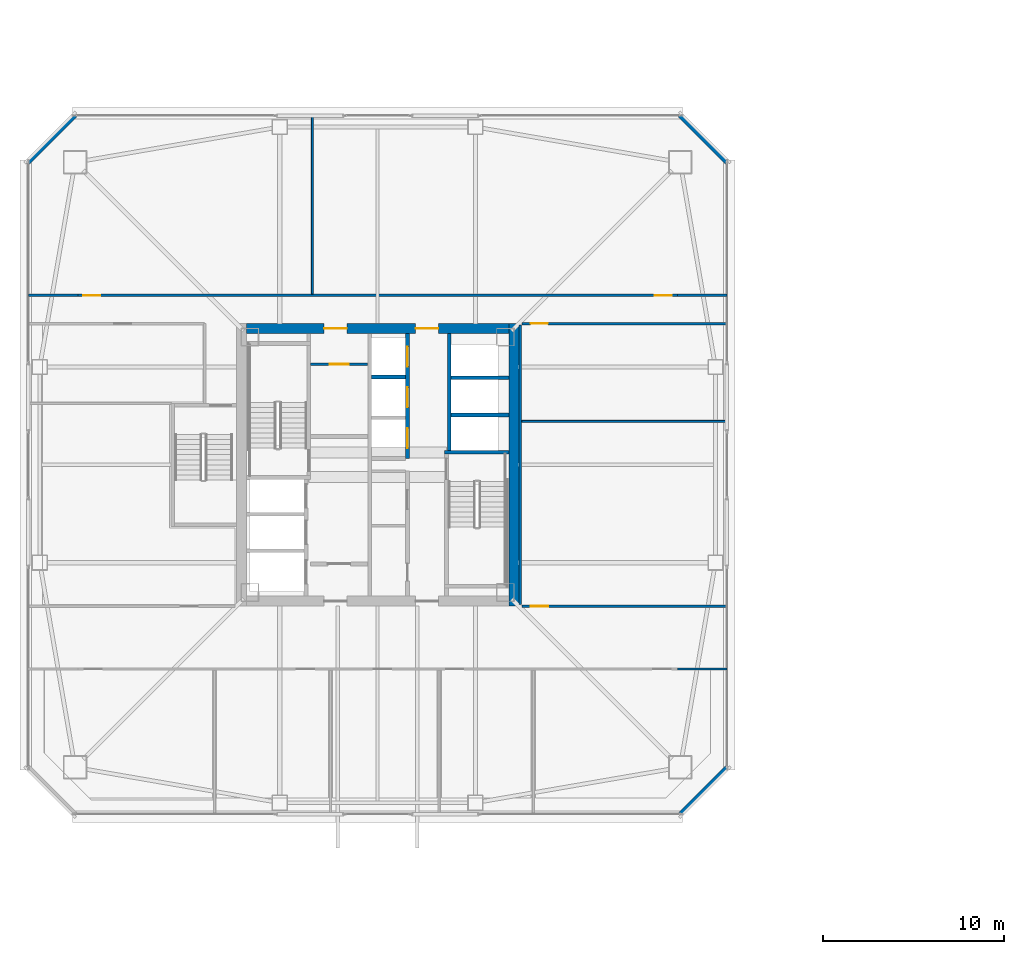
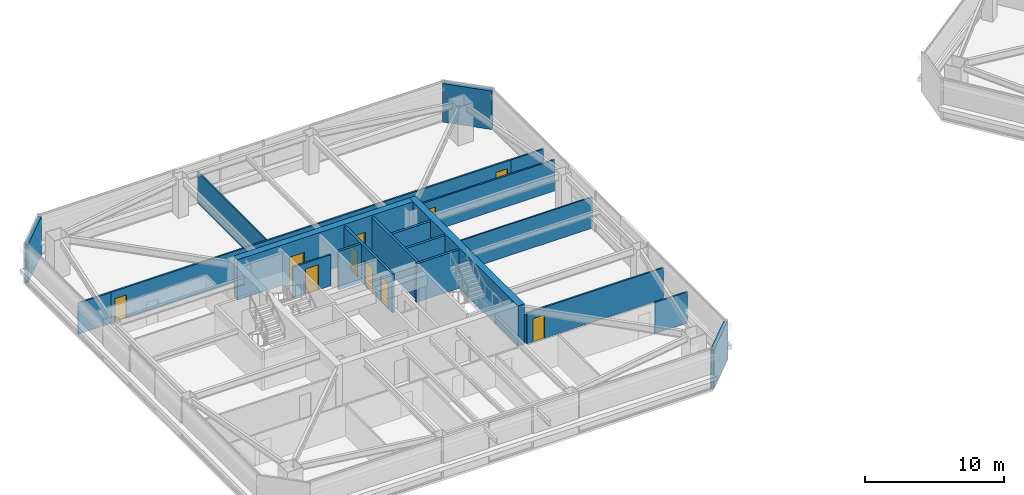
# One storey, part 33 of 42: 21 walls, 10 doors, 10 openings.
"""IFC4 building model written with IfcOpenShell, lengths in metres."""

from ifc_helpers import new_model, si_unit, direction, frame, frame_2d, origin, place, context, subcontext, project, spatial, rectangle, extrude, material, layer, layer_set, type_object, element, fill, save


model = new_model("IFC4")

# Units and contexts
model_context = context("Model", 3, precision=1e-05, world=origin(), true_north=direction((0.0, 1.0)))
body_context = subcontext(model_context, "Body", "Model", "MODEL_VIEW")
ifc_project = project(units=[si_unit("LENGTHUNIT", "METRE"), si_unit("AREAUNIT", "SQUARE_METRE"), si_unit("VOLUMEUNIT", "CUBIC_METRE"), si_unit("PLANEANGLEUNIT", "RADIAN"), si_unit("MASSUNIT", "GRAM", prefix="KILO")], contexts=[model_context])

# Site, building, storey
site_placement = place(None, origin())
site = spatial("IfcSite", under=ifc_project, at=site_placement, CompositionType="ELEMENT")
building_placement = place(site_placement, origin())
building = spatial("IfcBuilding", under=site, at=building_placement, Name="Tashvorn Skyway Center", CompositionType="ELEMENT")
storey_placement = place(building_placement, frame((0.0, 0.0, 121.5)))
storey = spatial("IfcBuildingStorey", under=building, at=storey_placement, Name="L32", CompositionType="ELEMENT", Elevation=121.5)

# Wall
ifc_material_1 = material(Name="Concrete C60/75", Category="concrete")
ifc_layer_1 = layer(ifc_material_1, 0.550048828125)
ifc_layer_set_1 = layer_set([ifc_layer_1], Name="Concrete C60/75")
wall_type_1 = type_object("IfcWallType", Name="WALL-CORE-550", PredefinedType="SHEAR", material=ifc_layer_set_1)
wall_1_placement = place(storey_placement, frame((49.52490234375, 39.800048828125, 0.0), z_axis=(0.0, 0.0, 1.0), x_axis=(0.0, -1.0, 0.0)))
element("IfcWall", 1, at=wall_1_placement, inside=storey, type_object=wall_type_1, Name="Tower 1 L32 East Core Shear Wall", PredefinedType="SHEAR", context=body_context, shape_type="SweptSolid", body=[
    extrude(rectangle(XDim=15.60009765625, YDim=0.550048828125, at=frame_2d((7.800048828125, 0.0))), origin(), (0.0, 0.0, 1.0), 3.550048828125),
])

# Wall, openings, doors
wall_2_placement = place(storey_placement, frame((34.75, 39.52490234375, 0.0), z_axis=(0.0, 0.0, 1.0), x_axis=(1.0, 0.0, 0.0)))
wall_2 = element("IfcWall", 2, at=wall_2_placement, inside=storey, type_object=wall_type_1, Name="Tower 1 L32 North Core Shear Wall", PredefinedType="SHEAR", context=body_context, shape_type="SweptSolid", body=[
    extrude(rectangle(XDim=14.5, YDim=0.550048828125, at=frame_2d((7.25, 0.0))), origin(), (0.0, 0.0, 1.0), 3.550048828125),
])
opening_1_placement = place(wall_2_placement, frame((4.300048828125, 0.0, 0.0)))
opening_1 = element("IfcOpeningElement", 3, at=opening_1_placement, cuts=wall_2, Name="Opening D-FFL-1250", PredefinedType="OPENING", context=body_context, shape_type="SweptSolid", body=[
    extrude(rectangle(XDim=1.25, YDim=2.25, at=frame_2d((0.625, 1.125))), frame((0.0, 0.284912109375, 0.0), z_axis=(0.0, -1.0, 0.0), x_axis=(1.0, 0.0, 0.0)), (0.0, 0.0, 1.0), 0.570068359375),
])
opening_2_placement = place(wall_2_placement, frame((9.35009765625, 0.0, 0.0)))
opening_2 = element("IfcOpeningElement", 4, at=opening_2_placement, cuts=wall_2, Name="Opening D-FFL-1250", PredefinedType="OPENING", context=body_context, shape_type="SweptSolid", body=[
    extrude(rectangle(XDim=1.25, YDim=2.25, at=frame_2d((0.625, 1.125))), frame((0.0, 0.284912109375, 0.0), z_axis=(0.0, -1.0, 0.0), x_axis=(1.0, 0.0, 0.0)), (0.0, 0.0, 1.0), 0.570068359375),
])
ifc_material_2 = material(Name="Hollow galvanized steel fire door assembly", Category="steel")
door_type_1 = type_object("IfcDoorType", Name="DOOR-FFL-1250", OperationType="NOTDEFINED", PredefinedType="DOOR", material=ifc_material_2)
door_1_placement = place(opening_1_placement, origin())
door_1 = element("IfcDoor", 5, at=door_1_placement, inside=storey, type_object=door_type_1, Name="Tower 1 L32 Core North Service Lobby Door", OperationType="SINGLE_SWING_LEFT", OverallHeight=2.25, OverallWidth=1.25, PredefinedType="DOOR", context=body_context, shape_type="SweptSolid", body=[
    extrude(rectangle(XDim=1.25, YDim=2.25, at=frame_2d((0.625, 1.125))), frame((0.0, 0.02490234375, 0.0), z_axis=(0.0, -1.0, 0.0), x_axis=(1.0, 0.0, 0.0)), (0.0, 0.0, 1.0), 0.050048828125),
])
fill(opening_1, door_1)
door_2_placement = place(opening_2_placement, origin())
door_2 = element("IfcDoor", 6, at=door_2_placement, inside=storey, type_object=door_type_1, Name="Tower 1 L32 Core North Lift Lobby Door", OperationType="SINGLE_SWING_RIGHT", OverallHeight=2.25, OverallWidth=1.25, PredefinedType="DOOR", context=body_context, shape_type="SweptSolid", body=[
    extrude(rectangle(XDim=1.25, YDim=2.25, at=frame_2d((0.625, 1.125))), frame((0.0, 0.02490234375, 0.0), z_axis=(0.0, -1.0, 0.0), x_axis=(1.0, 0.0, 0.0)), (0.0, 0.0, 1.0), 0.050048828125),
])
fill(opening_2, door_2)

# Walls
ifc_material_3 = material(Name="Precast concrete C40/50", Category="concrete")
ifc_layer_2 = layer(ifc_material_3, 0.280029296875)
ifc_layer_set_2 = layer_set([ifc_layer_2], Name="Precast concrete C40/50")
wall_type_2 = type_object("IfcWallType", Name="WALL-EXT-280", PredefinedType="SOLIDWALL", material=ifc_layer_set_2)
for number, where, z_axis, x_axis, name in (
    (7, (22.699951171875, 48.699951171875, 0.0), (0.0, 0.0, 1.0), (0.707106781187, 0.707106781187, 0.0), "Tower 1 L32 NW Precast Chamfer Wall"),
    (8, (58.699951171875, 51.300048828125, 0.0), (0.0, 0.0, 1.0), (0.707106781187, -0.707106781187, 0.0), "Tower 1 L32 NE Precast Chamfer Wall"),
    (9, (61.300048828125, 15.300048828125, 0.0), (0.0, 0.0, 1.0), (-0.707106781187, -0.707106781187, 0.0), "Tower 1 L32 SE Precast Chamfer Wall"),
):
    element("IfcWall", number, at=place(storey_placement, frame(where, z_axis=z_axis, x_axis=x_axis)), inside=storey, type_object=wall_type_2, Name=name, PredefinedType="SOLIDWALL", context=body_context, shape_type="SweptSolid", body=[
        extrude(rectangle(XDim=3.677001953125, YDim=0.280029296875, at=frame_2d((1.83837890625, 0.0))), origin(), (0.0, 0.0, 1.0), 3.3701171875),
    ])
ifc_material_4 = material(Name="Gypsum board on cold-formed steel stud framing", Category="steel")
ifc_layer_3 = layer(ifc_material_4, 0.110107421875)
ifc_layer_set_3 = layer_set([ifc_layer_3], Name="Gypsum board on cold-formed steel stud framing")
wall_type_3 = type_object("IfcWallType", Name="WALL-PART-110", PredefinedType="PARTITIONING", material=ifc_layer_set_3)
wall_3_placement = place(storey_placement, frame((38.39990234375, 41.429931640625, 0.0), z_axis=(0.0, 0.0, 1.0), x_axis=(0.0, 1.0, 0.0)))
element("IfcWall", 10, at=wall_3_placement, inside=storey, type_object=wall_type_3, Name="Tower 1 L32 North Suite Partition 1", PredefinedType="PARTITIONING", context=body_context, shape_type="SweptSolid", body=[
    extrude(rectangle(XDim=9.85009765625, YDim=0.110107421875, at=frame_2d((4.925048828125, 0.0))), origin(), (0.0, 0.0, 1.0), 2.722900390625),
])
wall_4_placement = place(storey_placement, frame((49.9599609375, 34.39990234375, 0.0), z_axis=(0.0, 0.0, 1.0), x_axis=(1.0, 0.0, 0.0)))
element("IfcWall", 11, at=wall_4_placement, inside=storey, type_object=wall_type_3, Name="Tower 1 L32 East Mid Partition", PredefinedType="PARTITIONING", context=body_context, shape_type="SweptSolid", body=[
    extrude(rectangle(XDim=11.320068359375, YDim=0.110107421875, at=frame_2d((5.66015625, 0.0))), origin(), (0.0, 0.0, 1.0), 2.722900390625),
])

# Wall, openings, doors
ifc_layer_4 = layer(ifc_material_4, 0.135009765625)
ifc_layer_set_4 = layer_set([ifc_layer_4], Name="Gypsum board on cold-formed steel stud framing")
wall_type_4 = type_object("IfcWallType", Name="WALL-PART-135", PredefinedType="PARTITIONING", material=ifc_layer_set_4)
wall_5_placement = place(storey_placement, frame((25.449951171875, 41.35009765625, 0.0), z_axis=(0.0, 0.0, 1.0), x_axis=(1.0, 0.0, 0.0)))
wall_5 = element("IfcWall", 12, at=wall_5_placement, inside=storey, type_object=wall_type_4, Name="Tower 1 L32 North Suite Wall", PredefinedType="PARTITIONING", context=body_context, shape_type="SweptSolid", body=[
    extrude(rectangle(XDim=33.10009765625, YDim=0.135009765625, at=frame_2d((16.550048828125, 0.0))), origin(), (0.0, 0.0, 1.0), 2.722900390625),
])
opening_3_placement = place(wall_5_placement, frame((0.300048828125, 0.0, 0.0)))
opening_3 = element("IfcOpeningElement", 13, at=opening_3_placement, cuts=wall_5, Name="Opening D-INT-950", PredefinedType="OPENING", context=body_context, shape_type="SweptSolid", body=[
    extrude(rectangle(XDim=0.949951171875, YDim=2.050048828125, at=frame_2d((0.47509765625, 1.02490234375))), frame((0.0, 0.077392578125, 0.0), z_axis=(0.0, -1.0, 0.0), x_axis=(1.0, 0.0, 0.0)), (0.0, 0.0, 1.0), 0.155029296875),
])
opening_4_placement = place(wall_5_placement, frame((31.85009765625, 0.0, 0.0)))
opening_4 = element("IfcOpeningElement", 14, at=opening_4_placement, cuts=wall_5, Name="Opening D-INT-950", PredefinedType="OPENING", context=body_context, shape_type="SweptSolid", body=[
    extrude(rectangle(XDim=0.949951171875, YDim=2.050048828125, at=frame_2d((0.47509765625, 1.02490234375))), frame((0.0, 0.077392578125, 0.0), z_axis=(0.0, -1.0, 0.0), x_axis=(1.0, 0.0, 0.0)), (0.0, 0.0, 1.0), 0.155029296875),
])
ifc_material_5 = material(Name="Solid-core architectural oak veneer door")
door_type_2 = type_object("IfcDoorType", Name="DOOR-INT-950", OperationType="NOTDEFINED", PredefinedType="DOOR", material=ifc_material_5)
door_3_placement = place(opening_3_placement, origin())
door_3 = element("IfcDoor", 15, at=door_3_placement, inside=storey, type_object=door_type_2, Name="Tower 1 L32 Executive Study Lounge Door", OperationType="SINGLE_SWING_LEFT", OverallHeight=2.050048828125, OverallWidth=0.949951171875, PredefinedType="DOOR", context=body_context, shape_type="SweptSolid", body=[
    extrude(rectangle(XDim=0.949951171875, YDim=2.050048828125, at=frame_2d((0.47509765625, 1.02490234375))), frame((0.0, 0.02490234375, 0.0), z_axis=(0.0, -1.0, 0.0), x_axis=(1.0, 0.0, 0.0)), (0.0, 0.0, 1.0), 0.050048828125),
])
fill(opening_3, door_3)
door_4_placement = place(opening_4_placement, origin())
door_4 = element("IfcDoor", 16, at=door_4_placement, inside=storey, type_object=door_type_2, Name="Tower 1 L32 Executive Study Lounge Door", OperationType="SINGLE_SWING_RIGHT", OverallHeight=2.050048828125, OverallWidth=0.949951171875, PredefinedType="DOOR", context=body_context, shape_type="SweptSolid", body=[
    extrude(rectangle(XDim=0.949951171875, YDim=2.050048828125, at=frame_2d((0.47509765625, 1.02490234375))), frame((0.0, 0.02490234375, 0.0), z_axis=(0.0, -1.0, 0.0), x_axis=(1.0, 0.0, 0.0)), (0.0, 0.0, 1.0), 0.050048828125),
])
fill(opening_4, door_4)

# Walls
for number, where, z_axis, x_axis, name in (
    (17, (22.719970703125, 41.35009765625, 0.0), (0.0, 0.0, 1.0), (1.0, 0.0, 0.0), "Tower 1 L32 North-West Suite South Wall"),
    (18, (58.550048828125, 41.35009765625, 0.0), (0.0, 0.0, 1.0), (1.0, 0.0, 0.0), "Tower 1 L32 North-East Suite South Wall"),
    (19, (58.550048828125, 20.72998046875, 0.0), (0.0, 0.0, 1.0), (1.0, 0.0, 0.0), "Tower 1 L32 South-East Suite North Wall"),
):
    element("IfcWall", number, at=place(storey_placement, frame(where, z_axis=z_axis, x_axis=x_axis)), inside=storey, type_object=wall_type_4, Name=name, PredefinedType="PARTITIONING", context=body_context, shape_type="SweptSolid", body=[
        extrude(rectangle(XDim=2.72998046875, YDim=0.135009765625, at=frame_2d((1.364990234375, 0.0))), origin(), (0.0, 0.0, 1.0), 2.722900390625),
    ])
wall_6_placement = place(storey_placement, frame((49.8798828125, 39.719970703125, 0.0), z_axis=(0.0, 0.0, 1.0), x_axis=(0.0, -1.0, 0.0)))
element("IfcWall", 20, at=wall_6_placement, inside=storey, type_object=wall_type_4, Name="Tower 1 L32 East Inner Suite Wall", PredefinedType="PARTITIONING", context=body_context, shape_type="SweptSolid", body=[
    extrude(rectangle(XDim=15.43994140625, YDim=0.135009765625, at=frame_2d((7.719970703125, 0.0))), origin(), (0.0, 0.0, 1.0), 2.722900390625),
])

# Wall, opening, door
wall_7_placement = place(storey_placement, frame((61.280029296875, 39.800048828125, 0.0), z_axis=(0.0, 0.0, 1.0), x_axis=(-1.0, 0.0, 0.0)))
wall_7 = element("IfcWall", 21, at=wall_7_placement, inside=storey, type_object=wall_type_4, Name="Tower 1 L32 East Suite North Wall", PredefinedType="PARTITIONING", context=body_context, shape_type="SweptSolid", body=[
    extrude(rectangle(XDim=11.320068359375, YDim=0.135009765625, at=frame_2d((5.66015625, 0.0))), origin(), (0.0, 0.0, 1.0), 2.722900390625),
])
opening_5_placement = place(wall_7_placement, frame((9.8798828125, 0.0, 0.0)))
opening_5 = element("IfcOpeningElement", 22, at=opening_5_placement, cuts=wall_7, Name="Opening D-INT-950", PredefinedType="OPENING", context=body_context, shape_type="SweptSolid", body=[
    extrude(rectangle(XDim=0.949951171875, YDim=2.050048828125, at=frame_2d((0.47509765625, 1.02490234375))), frame((0.0, 0.077392578125, 0.0), z_axis=(0.0, -1.0, 0.0), x_axis=(1.0, 0.0, 0.0)), (0.0, 0.0, 1.0), 0.155029296875),
])
door_5_placement = place(opening_5_placement, origin())
door_5 = element("IfcDoor", 23, at=door_5_placement, inside=storey, type_object=door_type_2, Name="Tower 1 L32 Open Plan Office Door", OperationType="SINGLE_SWING_RIGHT", OverallHeight=2.050048828125, OverallWidth=0.949951171875, PredefinedType="DOOR", context=body_context, shape_type="SweptSolid", body=[
    extrude(rectangle(XDim=0.949951171875, YDim=2.050048828125, at=frame_2d((0.47509765625, 1.02490234375))), frame((0.0, 0.02490234375, 0.0), z_axis=(0.0, -1.0, 0.0), x_axis=(1.0, 0.0, 0.0)), (0.0, 0.0, 1.0), 0.050048828125),
])
fill(opening_5, door_5)

wall_8_placement = place(storey_placement, frame((49.9599609375, 24.199951171875, 0.0), z_axis=(0.0, 0.0, 1.0), x_axis=(1.0, 0.0, 0.0)))
wall_8 = element("IfcWall", 24, at=wall_8_placement, inside=storey, type_object=wall_type_4, Name="Tower 1 L32 East Suite South Wall", PredefinedType="PARTITIONING", context=body_context, shape_type="SweptSolid", body=[
    extrude(rectangle(XDim=11.320068359375, YDim=0.135009765625, at=frame_2d((5.66015625, 0.0))), origin(), (0.0, 0.0, 1.0), 2.722900390625),
])
opening_6_placement = place(wall_8_placement, frame((0.5, 0.0, 0.0)))
opening_6 = element("IfcOpeningElement", 25, at=opening_6_placement, cuts=wall_8, Name="Opening D-INT-950", PredefinedType="OPENING", context=body_context, shape_type="SweptSolid", body=[
    extrude(rectangle(XDim=0.949951171875, YDim=2.050048828125, at=frame_2d((0.47509765625, 1.02490234375))), frame((0.0, 0.077392578125, 0.0), z_axis=(0.0, -1.0, 0.0), x_axis=(1.0, 0.0, 0.0)), (0.0, 0.0, 1.0), 0.155029296875),
])
door_6_placement = place(opening_6_placement, origin())
door_6 = element("IfcDoor", 26, at=door_6_placement, inside=storey, type_object=door_type_2, Name="Tower 1 L32 Public Restroom Door", OperationType="SINGLE_SWING_LEFT", OverallHeight=2.050048828125, OverallWidth=0.949951171875, PredefinedType="DOOR", context=body_context, shape_type="SweptSolid", body=[
    extrude(rectangle(XDim=0.949951171875, YDim=2.050048828125, at=frame_2d((0.47509765625, 1.02490234375))), frame((0.0, 0.02490234375, 0.0), z_axis=(0.0, -1.0, 0.0), x_axis=(1.0, 0.0, 0.0)), (0.0, 0.0, 1.0), 0.050048828125),
])
fill(opening_6, door_6)

ifc_layer_5 = layer(ifc_material_4, 0.135009765625)
ifc_layer_set_5 = layer_set([ifc_layer_5], Name="Gypsum board on cold-formed steel stud framing")
wall_type_5 = type_object("IfcWallType", Name="WALL-RATED-135", PredefinedType="PARTITIONING", material=ifc_layer_set_5)
wall_9_placement = place(storey_placement, frame((38.300048828125, 37.550048828125, 0.0), z_axis=(0.0, 0.0, 1.0), x_axis=(1.0, 0.0, 0.0)))
wall_9 = element("IfcWall", 27, at=wall_9_placement, inside=storey, type_object=wall_type_5, Name="Tower 1 L32 Core Service Lobby Wall", PredefinedType="PARTITIONING", context=body_context, shape_type="SweptSolid", body=[
    extrude(rectangle(XDim=3.14990234375, YDim=0.135009765625, at=frame_2d((1.574951171875, 0.0))), origin(), (0.0, 0.0, 1.0), 2.722900390625),
])
opening_7_placement = place(wall_9_placement, frame((1.050048828125, 0.0, 0.0)))
opening_7 = element("IfcOpeningElement", 28, at=opening_7_placement, cuts=wall_9, Name="Opening D-RT-1050", PredefinedType="OPENING", context=body_context, shape_type="SweptSolid", body=[
    extrude(rectangle(XDim=1.050048828125, YDim=2.199951171875, at=frame_2d((0.52490234375, 1.10009765625))), frame((0.0, 0.077392578125, 0.0), z_axis=(0.0, -1.0, 0.0), x_axis=(1.0, 0.0, 0.0)), (0.0, 0.0, 1.0), 0.155029296875),
])
door_type_3 = type_object("IfcDoorType", Name="DOOR-RATED-1050", OperationType="NOTDEFINED", PredefinedType="DOOR", material=ifc_material_2)
door_7_placement = place(opening_7_placement, origin())
door_7 = element("IfcDoor", 29, at=door_7_placement, inside=storey, type_object=door_type_3, Name="Tower 1 L32 Core Accessible WC Door", OperationType="SINGLE_SWING_LEFT", OverallHeight=2.199951171875, OverallWidth=1.050048828125, PredefinedType="DOOR", context=body_context, shape_type="SweptSolid", body=[
    extrude(rectangle(XDim=1.050048828125, YDim=2.199951171875, at=frame_2d((0.52490234375, 1.10009765625))), frame((0.0, 0.02490234375, 0.0), z_axis=(0.0, -1.0, 0.0), x_axis=(1.0, 0.0, 0.0)), (0.0, 0.0, 1.0), 0.050048828125),
])
fill(opening_7, door_7)

# Walls
ifc_material_6 = material(Name="Concrete C40/50", Category="concrete")
ifc_layer_6 = layer(ifc_material_6, 0.199951171875)
ifc_layer_set_6 = layer_set([ifc_layer_6], Name="Concrete C40/50")
wall_type_6 = type_object("IfcWallType", Name="WALL-SHAFT-200", PredefinedType="SOLIDWALL", material=ifc_layer_set_6)
for number, where, z_axis, x_axis, name in (
    (30, (46.050048828125, 34.75, 0.0), (0.0, 0.0, 1.0), (1.0, 0.0, 0.0), "Tower 1 L32 High-Rise Shaft Divider"),
    (31, (46.050048828125, 36.800048828125, 0.0), (0.0, 0.0, 1.0), (1.0, 0.0, 0.0), "Tower 1 L32 High-Rise Shaft Divider"),
):
    element("IfcWall", number, at=place(storey_placement, frame(where, z_axis=z_axis, x_axis=x_axis)), inside=storey, type_object=wall_type_6, Name=name, PredefinedType="SOLIDWALL", context=body_context, shape_type="SweptSolid", body=[
        extrude(rectangle(XDim=3.199951171875, YDim=0.199951171875, at=frame_2d((1.60009765625, 0.0))), origin(), (0.0, 0.0, 1.0), 3.3701171875),
    ])

# Wall, openings, doors
wall_10_placement = place(storey_placement, frame((43.64990234375, 32.35009765625, 0.0), z_axis=(0.0, 0.0, 1.0), x_axis=(0.0, 1.0, 0.0)))
wall_10 = element("IfcWall", 32, at=wall_10_placement, inside=storey, type_object=wall_type_6, Name="Tower 1 L32 Mid-Rise Core Wall", PredefinedType="SOLIDWALL", context=body_context, shape_type="SweptSolid", body=[
    extrude(rectangle(XDim=6.89990234375, YDim=0.199951171875, at=frame_2d((3.449951171875, 0.0))), origin(), (0.0, 0.0, 1.0), 3.3701171875),
])
opening_8_placement = place(wall_10_placement, frame((0.574951171875, 0.0, 0.0)))
opening_8 = element("IfcOpeningElement", 33, at=opening_8_placement, cuts=wall_10, Name="Opening LD-MR-T1-1-L32", PredefinedType="OPENING", context=body_context, shape_type="SweptSolid", body=[
    extrude(rectangle(XDim=1.10009765625, YDim=2.199951171875, at=frame_2d((0.550048828125, 1.10009765625))), frame((0.0, 0.10986328125, 0.0), z_axis=(0.0, -1.0, 0.0), x_axis=(1.0, 0.0, 0.0)), (0.0, 0.0, 1.0), 0.219970703125),
])
opening_9_placement = place(wall_10_placement, frame((2.824951171875, 0.0, 0.0)))
opening_9 = element("IfcOpeningElement", 34, at=opening_9_placement, cuts=wall_10, Name="Opening LD-MR-T1-2-L32", PredefinedType="OPENING", context=body_context, shape_type="SweptSolid", body=[
    extrude(rectangle(XDim=1.10009765625, YDim=2.199951171875, at=frame_2d((0.550048828125, 1.10009765625))), frame((0.0, 0.10986328125, 0.0), z_axis=(0.0, -1.0, 0.0), x_axis=(1.0, 0.0, 0.0)), (0.0, 0.0, 1.0), 0.219970703125),
])
opening_10_placement = place(wall_10_placement, frame((5.074951171875, 0.0, 0.0)))
opening_10 = element("IfcOpeningElement", 35, at=opening_10_placement, cuts=wall_10, Name="Opening LD-MR-T1-3-L32", PredefinedType="OPENING", context=body_context, shape_type="SweptSolid", body=[
    extrude(rectangle(XDim=1.10009765625, YDim=2.199951171875, at=frame_2d((0.550048828125, 1.10009765625))), frame((0.0, 0.10986328125, 0.0), z_axis=(0.0, -1.0, 0.0), x_axis=(1.0, 0.0, 0.0)), (0.0, 0.0, 1.0), 0.219970703125),
])
ifc_material_7 = material(Name="Stainless steel landing door", Category="steel")
door_type_4 = type_object("IfcDoorType", Name="DOOR-LIFT-1100", OperationType="SLIDING_TO_LEFT", PredefinedType="DOOR", material=ifc_material_7)
door_8_placement = place(opening_8_placement, origin())
door_8 = element("IfcDoor", 36, at=door_8_placement, inside=storey, type_object=door_type_4, Name="Lift MR-T1-1 L32 Landing Door", OperationType="SLIDING_TO_LEFT", OverallHeight=2.199951171875, OverallWidth=1.10009765625, PredefinedType="DOOR", context=body_context, shape_type="SweptSolid", body=[
    extrude(rectangle(XDim=1.10009765625, YDim=2.199951171875, at=frame_2d((0.550048828125, 1.10009765625))), frame((0.0, 0.02490234375, 0.0), z_axis=(0.0, -1.0, 0.0), x_axis=(1.0, 0.0, 0.0)), (0.0, 0.0, 1.0), 0.050048828125),
])
fill(opening_8, door_8)
door_9_placement = place(opening_9_placement, origin())
door_9 = element("IfcDoor", 37, at=door_9_placement, inside=storey, type_object=door_type_4, Name="Lift MR-T1-2 L32 Landing Door", OperationType="SLIDING_TO_LEFT", OverallHeight=2.199951171875, OverallWidth=1.10009765625, PredefinedType="DOOR", context=body_context, shape_type="SweptSolid", body=[
    extrude(rectangle(XDim=1.10009765625, YDim=2.199951171875, at=frame_2d((0.550048828125, 1.10009765625))), frame((0.0, 0.02490234375, 0.0), z_axis=(0.0, -1.0, 0.0), x_axis=(1.0, 0.0, 0.0)), (0.0, 0.0, 1.0), 0.050048828125),
])
fill(opening_9, door_9)
door_10_placement = place(opening_10_placement, origin())
door_10 = element("IfcDoor", 38, at=door_10_placement, inside=storey, type_object=door_type_4, Name="Lift MR-T1-3 L32 Landing Door", OperationType="SLIDING_TO_LEFT", OverallHeight=2.199951171875, OverallWidth=1.10009765625, PredefinedType="DOOR", context=body_context, shape_type="SweptSolid", body=[
    extrude(rectangle(XDim=1.10009765625, YDim=2.199951171875, at=frame_2d((0.550048828125, 1.10009765625))), frame((0.0, 0.02490234375, 0.0), z_axis=(0.0, -1.0, 0.0), x_axis=(1.0, 0.0, 0.0)), (0.0, 0.0, 1.0), 0.050048828125),
])
fill(opening_10, door_10)

# Walls
wall_11_placement = place(storey_placement, frame((41.669921875, 36.85009765625, 0.0), z_axis=(0.0, 0.0, 1.0), x_axis=(1.0, 0.0, 0.0)))
element("IfcWall", 39, at=wall_11_placement, inside=storey, type_object=wall_type_6, Name="Tower 1 L32 Mid-Rise Shaft Divider", PredefinedType="SOLIDWALL", context=body_context, shape_type="SweptSolid", body=[
    extrude(rectangle(XDim=1.880126953125, YDim=0.199951171875, at=frame_2d((0.93994140625, 0.0))), origin(), (0.0, 0.0, 1.0), 3.3701171875),
])
ifc_layer_7 = layer(ifc_material_6, 0.199951171875)
ifc_layer_set_7 = layer_set([ifc_layer_7], Name="Concrete C40/50")
wall_type_7 = type_object("IfcWallType", Name="WALL-STSHF-200", PredefinedType="SHEAR", material=ifc_layer_set_7)
wall_12_placement = place(storey_placement, frame((45.699951171875, 32.699951171875, 0.0), z_axis=(0.0, 0.0, 1.0), x_axis=(1.0, 0.0, 0.0)))
element("IfcWall", 40, at=wall_12_placement, inside=storey, type_object=wall_type_7, Name="Tower 1 L32 Stair 2 North Wall", PredefinedType="SHEAR", context=body_context, shape_type="SweptSolid", body=[
    extrude(rectangle(XDim=3.550048828125, YDim=0.199951171875, at=frame_2d((1.77490234375, 0.0))), origin(), (0.0, 0.0, 1.0), 3.3701171875),
])
wall_13_placement = place(storey_placement, frame((45.949951171875, 39.25, 0.0), z_axis=(0.0, 0.0, 1.0), x_axis=(0.0, -1.0, 0.0)))
element("IfcWall", 41, at=wall_13_placement, inside=storey, type_object=wall_type_7, Name="Tower 1 L32 High-Rise Lift Shaft Front Wall", PredefinedType="SHEAR", context=body_context, shape_type="SweptSolid", body=[
    extrude(rectangle(XDim=6.449951171875, YDim=0.199951171875, at=frame_2d((3.22509765625, 0.0))), origin(), (0.0, 0.0, 1.0), 3.3701171875),
])

save(model, "model.ifc")
